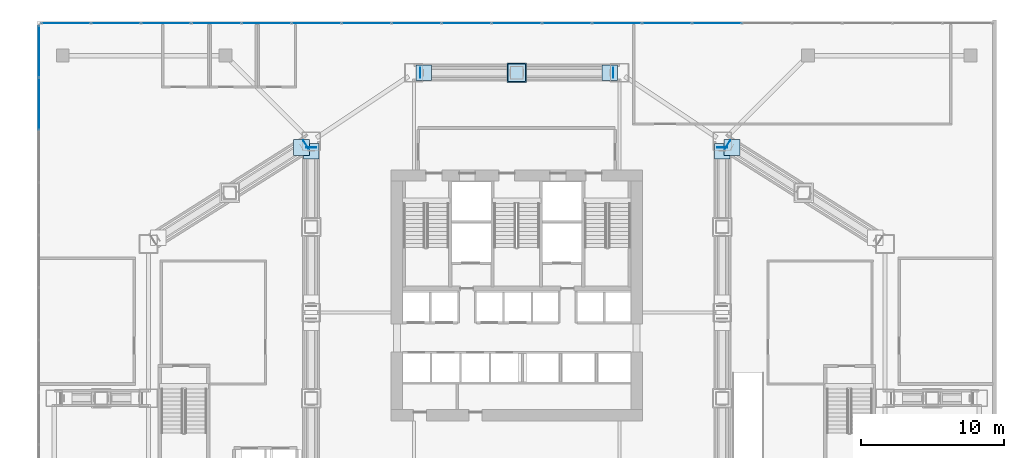
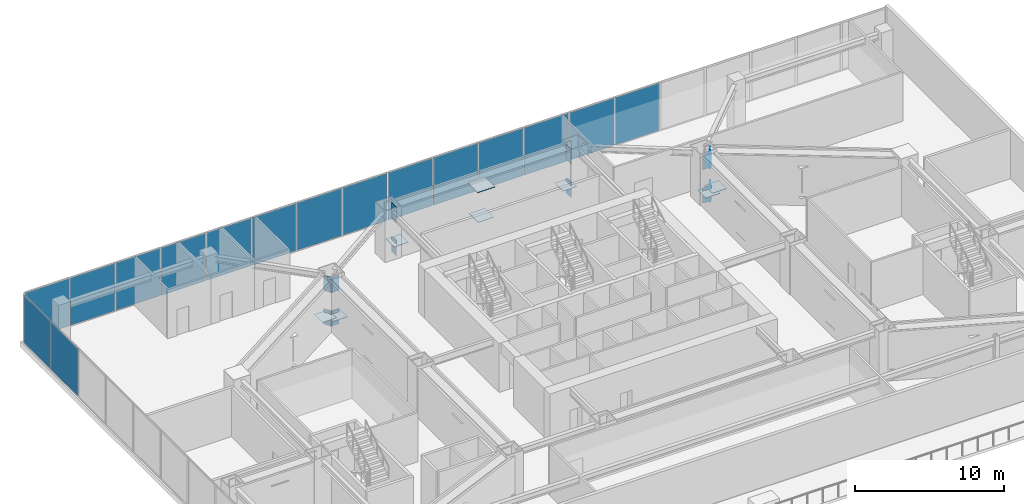
# One storey, part 25 of 39: 36 plates, 2 elements without a shape of their own.
"""IFC4 building model written with IfcOpenShell, lengths in metres."""

from ifc_helpers import new_model, si_unit, direction, frame, origin, origin_2d, place, context, subcontext, project, spatial, rectangle, extrude, material, layer, layer_set, type_object, element, aggregate, save


model = new_model("IFC4")

# Units and contexts
model_context = context("Model", 3, precision=1e-05, world=origin(), true_north=direction((0.0, 1.0)))
body_context = subcontext(model_context, "Body", "Model", "MODEL_VIEW")
ifc_project = project(units=[si_unit("LENGTHUNIT", "METRE"), si_unit("AREAUNIT", "SQUARE_METRE"), si_unit("VOLUMEUNIT", "CUBIC_METRE"), si_unit("PLANEANGLEUNIT", "RADIAN"), si_unit("MASSUNIT", "GRAM", prefix="KILO")], contexts=[model_context])

# Site, building, storey
site_placement = place(None, origin())
site = spatial("IfcSite", under=ifc_project, at=site_placement, CompositionType="ELEMENT")
building_placement = place(site_placement, origin())
building = spatial("IfcBuilding", under=site, at=building_placement, Name="Haolan Belvedere Tower", CompositionType="ELEMENT")
storey_placement = place(building_placement, frame((0.0, 0.0, 19.800048828125)))
storey = spatial("IfcBuildingStorey", under=building, at=storey_placement, Name="L04", CompositionType="ELEMENT", Elevation=19.800048828125)

# Curtain wall, plates
ifc_material_1 = material(Name="Anodised champagne-silver aluminium 6063-T6 and Low-E glass", Category="aluminium")
ifc_layer_1 = layer(ifc_material_1, 0.179931640625, Name="Anodised champagne-silver aluminium 6063-T6 and Low-E glass")
ifc_layer_set_1 = layer_set([ifc_layer_1], Name="Anodised champagne-silver aluminium 6063-T6 and Low-E glass")
curtain_wall_type = type_object("IfcCurtainWallType", Name="CW-SYS-01", PredefinedType="NOTDEFINED", material=ifc_layer_set_1)
curtain_wall_1_placement = place(storey_placement, origin())
curtain_wall_1 = element("IfcCurtainWall", 1, at=curtain_wall_1_placement, inside=storey, type_object=curtain_wall_type, Name="L04 CW-SYS-01 ribbon curtain wall 3.1", PredefinedType="NOTDEFINED")
ifc_material_2 = material(Name="Double silver Low-E laminated insulating glass", Category="glass")
ifc_layer_2 = layer(ifc_material_2, 0.028076171875, Name="Double silver Low-E laminated insulating glass")
ifc_layer_set_2 = layer_set([ifc_layer_2], Name="Double silver Low-E laminated insulating glass")
plate_type_1 = type_object("IfcPlateType", Name="CW-SYS-01-PNL", PredefinedType="CURTAIN_PANEL", material=ifc_layer_set_2)
plate_1_placement = place(storey_placement, frame((52.43359375, 53.8701171875, 0.06005859375), z_axis=(0.0, 0.0, 1.0), x_axis=(-1.0, 0.0, 0.0)))
plate_1 = element("IfcPlate", 2, at=plate_1_placement, type_object=plate_type_1, Name="CW-01 panel 6.1", PredefinedType="CURTAIN_PANEL", context=body_context, shape_type="SweptSolid", body=[
    extrude(rectangle(XDim=3.443359375, YDim=0.028076171875, at=origin_2d()), origin(), (0.0, 0.0, 1.0), 3.8798828125),
])
plate_2_placement = place(storey_placement, frame((48.92529296875, 53.8701171875, 0.06005859375), z_axis=(0.0, 0.0, 1.0), x_axis=(-1.0, 0.0, 0.0)))
plate_2 = element("IfcPlate", 3, at=plate_2_placement, type_object=plate_type_1, Name="CW-01 panel 7.1", PredefinedType="CURTAIN_PANEL", context=body_context, shape_type="SweptSolid", body=[
    extrude(rectangle(XDim=3.443359375, YDim=0.028076171875, at=origin_2d()), origin(), (0.0, 0.0, 1.0), 3.8798828125),
])
plate_3_placement = place(storey_placement, frame((45.416748046875, 53.8701171875, 0.06005859375), z_axis=(0.0, 0.0, 1.0), x_axis=(-1.0, 0.0, 0.0)))
plate_3 = element("IfcPlate", 4, at=plate_3_placement, type_object=plate_type_1, Name="CW-01 panel 8.1", PredefinedType="CURTAIN_PANEL", context=body_context, shape_type="SweptSolid", body=[
    extrude(rectangle(XDim=3.443359375, YDim=0.028076171875, at=origin_2d()), origin(), (0.0, 0.0, 1.0), 3.8798828125),
])
plate_4_placement = place(storey_placement, frame((41.908447265625, 53.8701171875, 0.06005859375), z_axis=(0.0, 0.0, 1.0), x_axis=(-1.0, 0.0, 0.0)))
plate_4 = element("IfcPlate", 5, at=plate_4_placement, type_object=plate_type_1, Name="CW-01 panel 9.1", PredefinedType="CURTAIN_PANEL", context=body_context, shape_type="SweptSolid", body=[
    extrude(rectangle(XDim=3.443359375, YDim=0.028076171875, at=origin_2d()), origin(), (0.0, 0.0, 1.0), 3.8798828125),
])
plate_5_placement = place(storey_placement, frame((38.39990234375, 53.8701171875, 0.06005859375), z_axis=(0.0, 0.0, 1.0), x_axis=(-1.0, 0.0, 0.0)))
plate_5 = element("IfcPlate", 6, at=plate_5_placement, type_object=plate_type_1, Name="CW-01 panel 10.1", PredefinedType="CURTAIN_PANEL", context=body_context, shape_type="SweptSolid", body=[
    extrude(rectangle(XDim=3.443359375, YDim=0.028076171875, at=origin_2d()), origin(), (0.0, 0.0, 1.0), 3.8798828125),
])
plate_6_placement = place(storey_placement, frame((34.8916015625, 53.8701171875, 0.06005859375), z_axis=(0.0, 0.0, 1.0), x_axis=(-1.0, 0.0, 0.0)))
plate_6 = element("IfcPlate", 7, at=plate_6_placement, type_object=plate_type_1, Name="CW-01 panel 11.1", PredefinedType="CURTAIN_PANEL", context=body_context, shape_type="SweptSolid", body=[
    extrude(rectangle(XDim=3.443359375, YDim=0.028076171875, at=origin_2d()), origin(), (0.0, 0.0, 1.0), 3.8798828125),
])
plate_7_placement = place(storey_placement, frame((31.383056640625, 53.8701171875, 0.06005859375), z_axis=(0.0, 0.0, 1.0), x_axis=(-1.0, 0.0, 0.0)))
plate_7 = element("IfcPlate", 8, at=plate_7_placement, type_object=plate_type_1, Name="CW-01 panel 12.1", PredefinedType="CURTAIN_PANEL", context=body_context, shape_type="SweptSolid", body=[
    extrude(rectangle(XDim=3.443359375, YDim=0.028076171875, at=origin_2d()), origin(), (0.0, 0.0, 1.0), 3.8798828125),
])
plate_8_placement = place(storey_placement, frame((27.874755859375, 53.8701171875, 0.06005859375), z_axis=(0.0, 0.0, 1.0), x_axis=(-1.0, 0.0, 0.0)))
plate_8 = element("IfcPlate", 9, at=plate_8_placement, type_object=plate_type_1, Name="CW-01 panel 13.1", PredefinedType="CURTAIN_PANEL", context=body_context, shape_type="SweptSolid", body=[
    extrude(rectangle(XDim=3.443359375, YDim=0.028076171875, at=origin_2d()), origin(), (0.0, 0.0, 1.0), 3.8798828125),
])
plate_9_placement = place(storey_placement, frame((24.3662109375, 53.8701171875, 0.06005859375), z_axis=(0.0, 0.0, 1.0), x_axis=(-1.0, 0.0, 0.0)))
plate_9 = element("IfcPlate", 10, at=plate_9_placement, type_object=plate_type_1, Name="CW-01 panel 14.1", PredefinedType="CURTAIN_PANEL", context=body_context, shape_type="SweptSolid", body=[
    extrude(rectangle(XDim=3.443359375, YDim=0.028076171875, at=origin_2d()), origin(), (0.0, 0.0, 1.0), 3.8798828125),
])
plate_10_placement = place(storey_placement, frame((20.85791015625, 53.8701171875, 0.06005859375), z_axis=(0.0, 0.0, 1.0), x_axis=(-1.0, 0.0, 0.0)))
plate_10 = element("IfcPlate", 11, at=plate_10_placement, type_object=plate_type_1, Name="CW-01 panel 15.1", PredefinedType="CURTAIN_PANEL", context=body_context, shape_type="SweptSolid", body=[
    extrude(rectangle(XDim=3.443359375, YDim=0.028076171875, at=origin_2d()), origin(), (0.0, 0.0, 1.0), 3.8798828125),
])
plate_11_placement = place(storey_placement, frame((17.349365234375, 53.8701171875, 0.06005859375), z_axis=(0.0, 0.0, 1.0), x_axis=(-1.0, 0.0, 0.0)))
plate_11 = element("IfcPlate", 12, at=plate_11_placement, type_object=plate_type_1, Name="CW-01 panel 16.1", PredefinedType="CURTAIN_PANEL", context=body_context, shape_type="SweptSolid", body=[
    extrude(rectangle(XDim=3.443359375, YDim=0.028076171875, at=origin_2d()), origin(), (0.0, 0.0, 1.0), 3.8798828125),
])
plate_12_placement = place(storey_placement, frame((13.841064453125, 53.8701171875, 0.06005859375), z_axis=(0.0, 0.0, 1.0), x_axis=(-1.0, 0.0, 0.0)))
plate_12 = element("IfcPlate", 13, at=plate_12_placement, type_object=plate_type_1, Name="CW-01 panel 17.1", PredefinedType="CURTAIN_PANEL", context=body_context, shape_type="SweptSolid", body=[
    extrude(rectangle(XDim=3.443359375, YDim=0.028076171875, at=origin_2d()), origin(), (0.0, 0.0, 1.0), 3.8798828125),
])
plate_13_placement = place(storey_placement, frame((10.33251953125, 53.8701171875, 0.06005859375), z_axis=(0.0, 0.0, 1.0), x_axis=(-1.0, 0.0, 0.0)))
plate_13 = element("IfcPlate", 14, at=plate_13_placement, type_object=plate_type_1, Name="CW-01 panel 18.1", PredefinedType="CURTAIN_PANEL", context=body_context, shape_type="SweptSolid", body=[
    extrude(rectangle(XDim=3.443359375, YDim=0.028076171875, at=origin_2d()), origin(), (0.0, 0.0, 1.0), 3.8798828125),
])
plate_14_placement = place(storey_placement, frame((6.840576171875, 53.8701171875, 0.06005859375), z_axis=(0.0, 0.0, 1.0), x_axis=(-1.0, 0.0, 0.0)))
plate_14 = element("IfcPlate", 15, at=plate_14_placement, type_object=plate_type_1, Name="CW-01 panel 19.1", PredefinedType="CURTAIN_PANEL", context=body_context, shape_type="SweptSolid", body=[
    extrude(rectangle(XDim=3.410888671875, YDim=0.028076171875, at=origin_2d()), origin(), (0.0, 0.0, 1.0), 3.8798828125),
])
aggregate(curtain_wall_1, [plate_1, plate_2, plate_3, plate_4, plate_5, plate_6, plate_7, plate_8, plate_9, plate_10, plate_11, plate_12, plate_13, plate_14])

curtain_wall_2_placement = place(storey_placement, origin())
curtain_wall_2 = element("IfcCurtainWall", 16, at=curtain_wall_2_placement, inside=storey, type_object=curtain_wall_type, Name="L04 CW-SYS-01 ribbon curtain wall 4.1", PredefinedType="NOTDEFINED")
plate_15_placement = place(storey_placement, frame((4.929931640625, 51.876953125, 0.06005859375), z_axis=(0.0, 0.0, 1.0), x_axis=(0.0, -1.0, 0.0)))
plate_15 = element("IfcPlate", 17, at=plate_15_placement, type_object=plate_type_1, Name="CW-01 panel 1.1", PredefinedType="CURTAIN_PANEL", context=body_context, shape_type="SweptSolid", body=[
    extrude(rectangle(XDim=3.576171875, YDim=0.028076171875, at=origin_2d()), origin(), (0.0, 0.0, 1.0), 3.8798828125),
])
plate_16_placement = place(storey_placement, frame((4.929931640625, 48.219482421875, 0.06005859375), z_axis=(0.0, 0.0, 1.0), x_axis=(0.0, -1.0, 0.0)))
plate_16 = element("IfcPlate", 18, at=plate_16_placement, type_object=plate_type_1, Name="CW-01 panel 2.1", PredefinedType="CURTAIN_PANEL", context=body_context, shape_type="SweptSolid", body=[
    extrude(rectangle(XDim=3.608642578125, YDim=0.028076171875, at=origin_2d()), origin(), (0.0, 0.0, 1.0), 3.8798828125),
])
aggregate(curtain_wall_2, [plate_15, plate_16])

# Plates
ifc_material_3 = material(Name="Steel Q355B", Category="steel")
ifc_layer_3 = layer(ifc_material_3, 0.02490234375, Name="Steel Q355B")
ifc_layer_set_3 = layer_set([ifc_layer_3], Name="Steel Q355B")
plate_type_2 = type_object("IfcPlateType", Name="PL-CAP-25", PredefinedType="SHEET", material=ifc_layer_set_3)
for number, where, z_axis, x_axis, name in (
    (19, (24.0, 45.16259765625, 2.7099609375), (0.0, 0.0, 1.0), (-1.0, 0.0, 0.0), "Hollow steel end-cap plate TT-T3-W2-TC-CAP1"),
    (20, (24.0, 45.16259765625, -0.0302734375), (0.0, 0.0, 1.0), (-1.0, 0.0, 0.0), "Hollow steel end-cap plate TT-T3-W2-BC-CAP1"),
    (21, (52.800048828125, 45.16259765625, 2.7099609375), (0.0, 0.0, 1.0), (-1.0, 0.0, 0.0), "Hollow steel end-cap plate TT-T3-E2-TC-CAP1"),
    (22, (52.800048828125, 45.16259765625, -0.0302734375), (0.0, 0.0, 1.0), (-1.0, 0.0, 0.0), "Hollow steel end-cap plate TT-T3-E2-BC-CAP1"),
    (23, (31.637451171875, 50.39990234375, 2.7099609375), (0.0, 0.0, 1.0), (0.0, -1.0, 0.0), "Hollow steel end-cap plate TT-T3-NM-TC-CAP0"),
    (24, (45.16259765625, 50.39990234375, 2.7099609375), (0.0, 0.0, 1.0), (0.0, 1.0, 0.0), "Hollow steel end-cap plate TT-T3-NM-TC-CAP1"),
    (25, (31.637451171875, 50.39990234375, -0.0302734375), (0.0, 0.0, 1.0), (0.0, -1.0, 0.0), "Hollow steel end-cap plate TT-T3-NM-BC-CAP0"),
    (26, (45.16259765625, 50.39990234375, -0.0302734375), (0.0, 0.0, 1.0), (0.0, 1.0, 0.0), "Hollow steel end-cap plate TT-T3-NM-BC-CAP1"),
    (27, (23.630126953125, 45.366455078125, 2.7099609375), (0.0, 0.0, 1.0), (-0.533998240073, 0.845485588049, 0.0), "Hollow steel end-cap plate TT-T2-N-TC-CAP1"),
    (28, (23.630126953125, 45.366455078125, -0.0302734375), (0.0, 0.0, 1.0), (-0.533998240073, 0.845485588049, 0.0), "Hollow steel end-cap plate TT-T2-N-BC-CAP1"),
    (29, (53.169921875, 45.366455078125, 2.7099609375), (0.0, 0.0, 1.0), (-0.533998240073, -0.845485588049, 0.0), "Hollow steel end-cap plate TT-T4-N-TC-CAP0"),
    (30, (53.169921875, 45.366455078125, -0.0302734375), (0.0, 0.0, 1.0), (-0.533998240073, -0.845485588049, 0.0), "Hollow steel end-cap plate TT-T4-N-BC-CAP0"),
):
    element("IfcPlate", number, at=place(storey_placement, frame(where, z_axis=z_axis, x_axis=x_axis)), inside=storey, type_object=plate_type_2, Name=name, PredefinedType="SHEET", context=body_context, shape_type="SweptSolid", body=[
        extrude(rectangle(XDim=0.68994140625, YDim=0.02490234375, at=origin_2d()), origin(), (0.0, 0.0, 1.0), 1.260009765625),
    ])
ifc_material_4 = material(Name="Steel Q420GJC", Category="steel")
ifc_layer_4 = layer(ifc_material_4, 0.034912109375, Name="Steel Q420GJC")
ifc_layer_set_4 = layer_set([ifc_layer_4], Name="Steel Q420GJC")
plate_type_3 = type_object("IfcPlateType", Name="PL-NODE-NP01", PredefinedType="USERDEFINED", material=ifc_layer_set_4)
for number, where, z_axis, x_axis, name in (
    (31, (24.0, 44.909912109375, 0.92236328125), (0.0, 0.0, 1.0), (1.0, 0.0, 0.0), "NP-01 transfer truss base gusset plate TT-T3-W2.2"),
    (32, (52.800048828125, 44.909912109375, 0.92236328125), (0.0, 0.0, 1.0), (1.0, 0.0, 0.0), "NP-01 transfer truss base gusset plate TT-T3-E2.2"),
    (33, (31.889892578125, 50.39990234375, 0.92236328125), (0.0, 0.0, 1.0), (1.0, 0.0, 0.0), "NP-01 transfer truss base gusset plate TT-T3-NM.1"),
    (34, (44.909912109375, 50.39990234375, 0.92236328125), (0.0, 0.0, 1.0), (1.0, 0.0, 0.0), "NP-01 transfer truss base gusset plate TT-T3-NM.2"),
):
    element("IfcPlate", number, at=place(storey_placement, frame(where, z_axis=z_axis, x_axis=x_axis)), inside=storey, type_object=plate_type_3, Name=name, ObjectType="GUSSET", PredefinedType="USERDEFINED", context=body_context, shape_type="SweptSolid", body=[
        extrude(rectangle(XDim=1.10009765625, YDim=1.10009765625, at=origin_2d()), origin(), (0.0, 0.0, 1.0), 0.034912109375),
    ])
plate_17_placement = place(storey_placement, frame((38.39990234375, 50.39990234375, 3.20263671875), z_axis=(0.0, 0.0, 1.0), x_axis=(1.0, 0.0, 0.0)))
element("IfcPlate", 35, at=plate_17_placement, inside=storey, type_object=plate_type_3, Name="NP-01 transfer truss node assembly TT-T3-NM", ObjectType="GUSSET", PredefinedType="USERDEFINED", context=body_context, shape_type="SweptSolid", body=[
    extrude(rectangle(XDim=1.35009765625, YDim=1.35009765625, at=origin_2d()), origin(), (0.0, 0.0, 1.0), 0.034912109375),
])
plate_18_placement = place(storey_placement, frame((38.39990234375, 50.39990234375, 0.70263671875), z_axis=(0.0, 0.0, 1.0), x_axis=(1.0, 0.0, 0.0)))
element("IfcPlate", 36, at=plate_18_placement, inside=storey, type_object=plate_type_3, Name="NP-01 transfer truss lower chord node plate TT-T3-NM", ObjectType="GUSSET", PredefinedType="USERDEFINED", context=body_context, shape_type="SweptSolid", body=[
    extrude(rectangle(XDim=1.199951171875, YDim=1.199951171875, at=origin_2d()), origin(), (0.0, 0.0, 1.0), 0.034912109375),
])
for number, where, z_axis, x_axis, name in (
    (37, (23.316162109375, 45.168212890625, 0.92236328125), (0.0, 0.0, 1.0), (1.0, 0.0, 0.0), "NP-01 transfer truss base gusset plate TT-T2-N.2"),
    (38, (53.48388671875, 45.168212890625, 0.92236328125), (0.0, 0.0, 1.0), (1.0, 0.0, 0.0), "NP-01 transfer truss base gusset plate TT-T4-N.1"),
):
    element("IfcPlate", number, at=place(storey_placement, frame(where, z_axis=z_axis, x_axis=x_axis)), inside=storey, type_object=plate_type_3, Name=name, ObjectType="GUSSET", PredefinedType="USERDEFINED", context=body_context, shape_type="SweptSolid", body=[
        extrude(rectangle(XDim=1.10009765625, YDim=1.10009765625, at=origin_2d()), origin(), (0.0, 0.0, 1.0), 0.034912109375),
    ])

save(model, "model.ifc")
